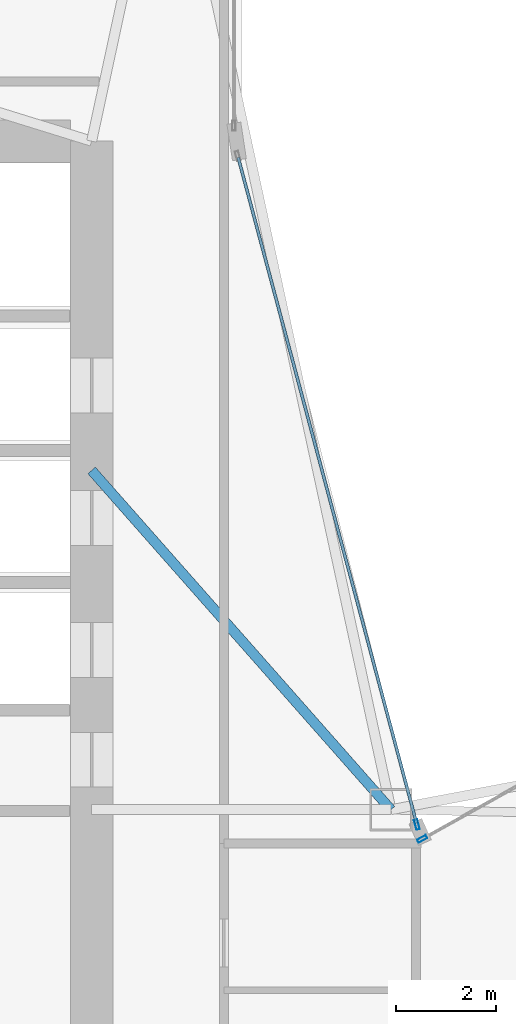
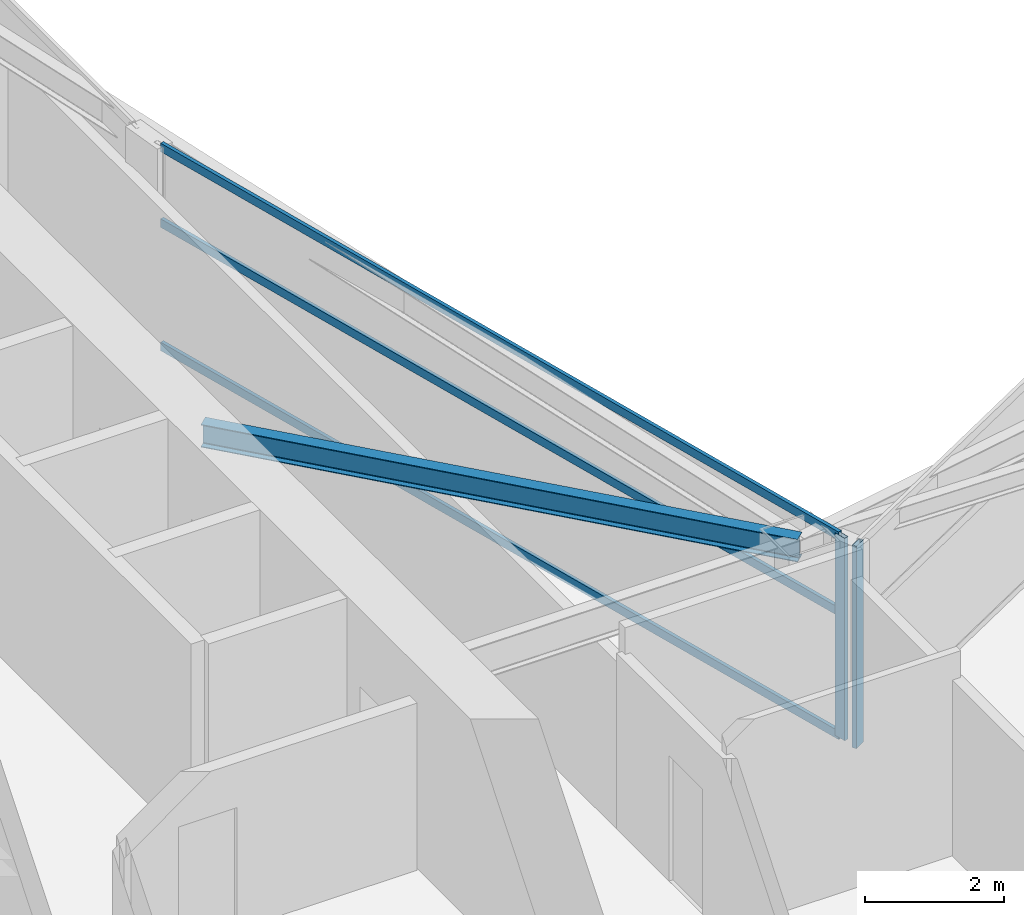
# One storey, part 10 of 29: 5 members, 1 beam, 2 elements without a shape of their own.
"""IFC4 building model written with IfcOpenShell, lengths in metres."""

from ifc_helpers import new_model, si_unit, direction, frame, origin, origin_2d, place, context, subcontext, project, spatial, hollow_rectangle, i_section, extrude, material, layer, layer_set, material_profile, profile_set, type_object, element, aggregate, save


model = new_model("IFC4")

# Units and contexts
model_context = context("Model", 3, precision=1e-05, world=origin(), true_north=direction((0.0, 1.0)))
body_context = subcontext(model_context, "Body", "Model", "MODEL_VIEW")
ifc_project = project(units=[si_unit("LENGTHUNIT", "METRE"), si_unit("AREAUNIT", "SQUARE_METRE"), si_unit("VOLUMEUNIT", "CUBIC_METRE"), si_unit("PLANEANGLEUNIT", "RADIAN"), si_unit("MASSUNIT", "GRAM", prefix="KILO")], contexts=[model_context])

# Site, building, storey
site_placement = place(None, origin())
site = spatial("IfcSite", under=ifc_project, at=site_placement, CompositionType="ELEMENT")
building_placement = place(site_placement, origin())
building = spatial("IfcBuilding", under=site, at=building_placement, Name="Calvorn Quay Hotel", CompositionType="ELEMENT")
storey_placement = place(building_placement, frame((0.0, 0.0, 148.5)))
storey = spatial("IfcBuildingStorey", under=building, at=storey_placement, Name="L36", CompositionType="ELEMENT", Elevation=148.5)

# Beam
ifc_material_1 = material(Name="Steel Q355B", Category="steel")
ifc_material_profile_1 = material_profile(ifc_material_1, i_section(OverallWidth=0.199951171875, OverallDepth=0.39990234375, WebThickness=0.008056640625, FlangeThickness=0.012939453125, FilletRadius=0.01611328125, at=origin_2d()), Name="HN400x200x8x13")
ifc_profile_set_1 = profile_set([ifc_material_profile_1], Name="Steel Q355B")
beam_type = type_object("IfcBeamType", Name="BM-JOIST-TYP", PredefinedType="JOIST", material=ifc_profile_set_1)
beam_placement = place(storey_placement, frame((15.0, 31.800048828125, 3.340087890625), z_axis=(0.661618965899, -0.749840212287, 0.0), x_axis=(0.749840212287, 0.661618965899, 0.0)))
element("IfcBeam", 1, at=beam_placement, inside=storey, type_object=beam_type, Name="Beam BJ-L36-C1", PredefinedType="JOIST", context=body_context, shape_type="SweptSolid", body=[
    extrude(i_section(OverallWidth=0.199951171875, OverallDepth=0.39990234375, WebThickness=0.008056640625, FlangeThickness=0.012939453125, FilletRadius=0.01611328125, at=origin_2d()), origin(), (0.0, 0.0, 1.0), 9.068603515625),
])

# Curtain wall, member
ifc_material_2 = material(Name="Pale Anodised Aluminium and Low-E Glass", Category="aluminium")
ifc_layer = layer(ifc_material_2, 0.219970703125)
ifc_layer_set = layer_set([ifc_layer], Name="CW-SYS-Z2")
curtain_wall_type = type_object("IfcCurtainWallType", Name="CW-SYS-Z2", PredefinedType="NOTDEFINED", material=ifc_layer_set)
curtain_wall_1_placement = place(storey_placement, origin())
curtain_wall_1 = element("IfcCurtainWall", 2, at=curtain_wall_1_placement, inside=storey, type_object=curtain_wall_type, Name="Inner Court Curtain Wall L36-NE1", PredefinedType="NOTDEFINED")
ifc_material_3 = material(Name="Pale Anodised Aluminium 6063-T6", Category="aluminium")
ifc_material_profile_2 = material_profile(ifc_material_3, hollow_rectangle(XDim=0.070068359375, YDim=0.199951171875, WallThickness=0.00390625, at=origin_2d()), Name="ALU-M200x70x4")
ifc_profile_set_2 = profile_set([ifc_material_profile_2], Name="Pale Anodised Aluminium 6063-T6")
member_type_1 = type_object("IfcMemberType", Name="CW-SYS-Z2-MUL", PredefinedType="MULLION", material=ifc_profile_set_2)
member_1_placement = place(storey_placement, frame((21.626220703125, 24.41455078125, 0.0), z_axis=(0.0, 0.0, 1.0), x_axis=(0.486858256224, -0.873480989116, 0.0)))
member_1 = element("IfcMember", 3, at=member_1_placement, type_object=member_type_1, Name="CW-L36-NE1 mullion 4", PredefinedType="MULLION", context=body_context, shape_type="SweptSolid", body=[
    extrude(hollow_rectangle(XDim=0.070068359375, YDim=0.199951171875, WallThickness=0.00390625, at=origin_2d()), origin(), (0.0, 0.0, 1.0), 3.56005859375),
])
aggregate(curtain_wall_1, [member_1])

# Curtain wall, members
curtain_wall_2_placement = place(storey_placement, origin())
curtain_wall_2 = element("IfcCurtainWall", 4, at=curtain_wall_2_placement, inside=storey, type_object=curtain_wall_type, Name="Inner Court Curtain Wall L36-IC1", PredefinedType="NOTDEFINED")
member_2_placement = place(storey_placement, frame((21.520263671875, 24.698974609375, 0.0), z_axis=(0.0, 0.0, 1.0), x_axis=(-0.96593652056, -0.25877913024, 0.0)))
member_2 = element("IfcMember", 5, at=member_2_placement, type_object=member_type_1, Name="CW-L36-IC1 mullion 1", PredefinedType="MULLION", context=body_context, shape_type="SweptSolid", body=[
    extrude(hollow_rectangle(XDim=0.070068359375, YDim=0.199951171875, WallThickness=0.00390625, at=origin_2d()), origin(), (0.0, 0.0, 1.0), 3.56005859375),
])
ifc_material_4 = material(Name="Pale Anodised Aluminium 6063-T6", Category="aluminium")
ifc_material_profile_3 = material_profile(ifc_material_4, hollow_rectangle(XDim=0.06005859375, YDim=0.14990234375, WallThickness=0.00341796875, at=origin_2d()), Name="ALU-T150x60x3.5")
ifc_profile_set_3 = profile_set([ifc_material_profile_3], Name="Pale Anodised Aluminium 6063-T6")
member_type_2 = type_object("IfcMemberType", Name="CW-SYS-Z2-TRN", PredefinedType="USERDEFINED", material=ifc_profile_set_3)
member_3_placement = place(storey_placement, frame((21.512451171875, 24.72802734375, 0.030029296875), z_axis=(-0.258781136883, 0.965935982969, 0.0), x_axis=(-0.965935982969, -0.258781136883, 0.0)))
member_3 = element("IfcMember", 6, at=member_3_placement, type_object=member_type_2, Name="CW-L36-IC1 transom 1.1", ObjectType="TRANSOM", PredefinedType="USERDEFINED", context=body_context, shape_type="SweptSolid", body=[
    extrude(hollow_rectangle(XDim=0.06005859375, YDim=0.14990234375, WallThickness=0.00341796875, at=origin_2d()), origin(), (0.0, 0.0, 1.0), 13.814453125),
])
member_4_placement = place(storey_placement, frame((21.512451171875, 24.72802734375, 2.199951171875), z_axis=(-0.258781136883, 0.965935982969, 0.0), x_axis=(-0.965935982969, -0.258781136883, 0.0)))
member_4 = element("IfcMember", 7, at=member_4_placement, type_object=member_type_2, Name="CW-L36-IC1 transom 1.2", ObjectType="TRANSOM", PredefinedType="USERDEFINED", context=body_context, shape_type="SweptSolid", body=[
    extrude(hollow_rectangle(XDim=0.06005859375, YDim=0.14990234375, WallThickness=0.00341796875, at=origin_2d()), origin(), (0.0, 0.0, 1.0), 13.814453125),
])
member_5_placement = place(storey_placement, frame((21.512451171875, 24.72802734375, 3.530029296875), z_axis=(-0.258781136883, 0.965935982969, 0.0), x_axis=(-0.965935982969, -0.258781136883, 0.0)))
member_5 = element("IfcMember", 8, at=member_5_placement, type_object=member_type_2, Name="CW-L36-IC1 transom 1.3", ObjectType="TRANSOM", PredefinedType="USERDEFINED", context=body_context, shape_type="SweptSolid", body=[
    extrude(hollow_rectangle(XDim=0.06005859375, YDim=0.14990234375, WallThickness=0.00341796875, at=origin_2d()), origin(), (0.0, 0.0, 1.0), 13.814453125),
])
aggregate(curtain_wall_2, [member_2, member_3, member_4, member_5])

save(model, "model.ifc")
